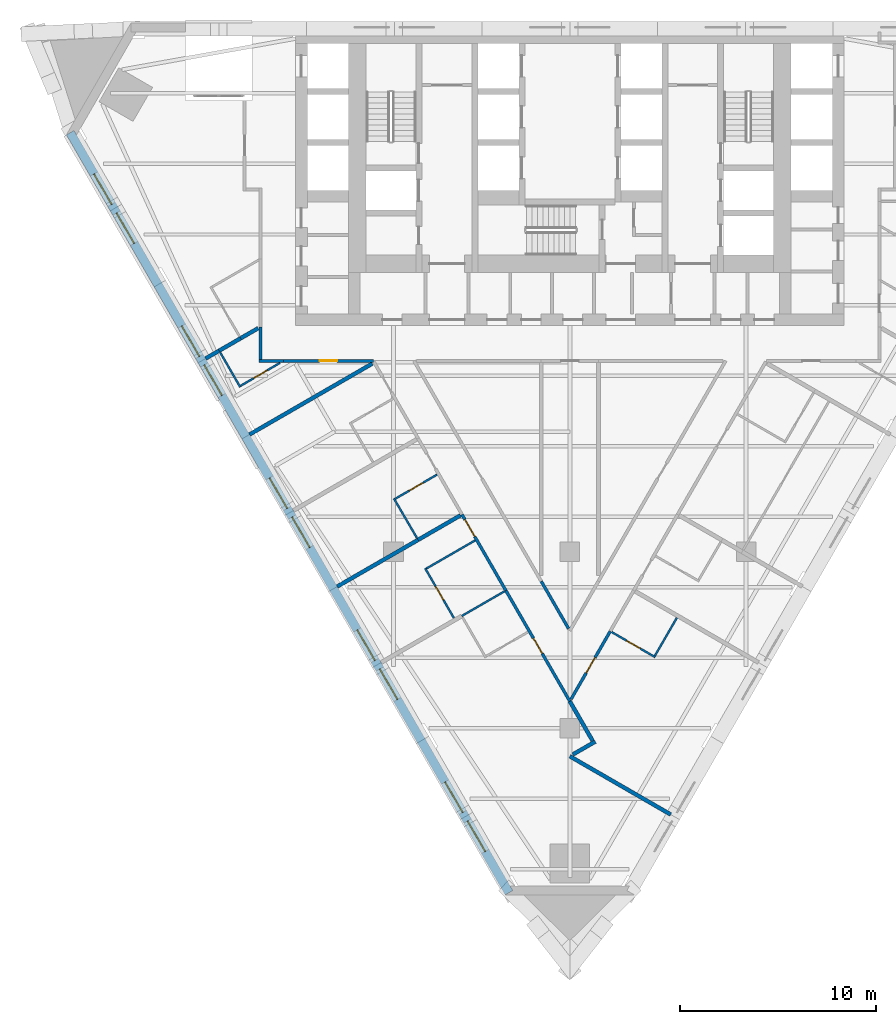
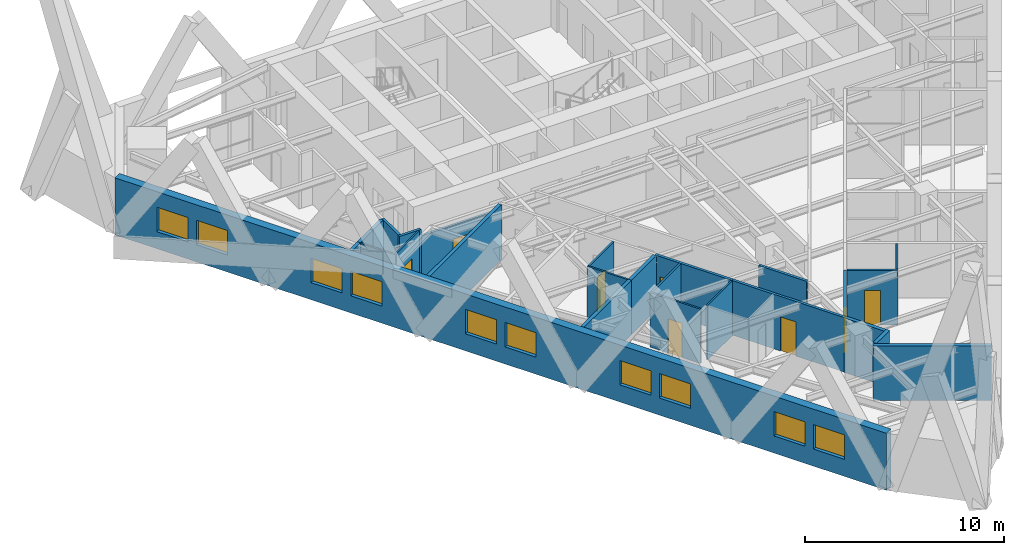
# One storey, part 4 of 11: 26 walls, 10 windows, 8 doors, 18 openings.
"""IFC4 building model written with IfcOpenShell, lengths in metres."""

from ifc_helpers import new_model, si_unit, direction, frame, frame_2d, origin, place, context, subcontext, project, spatial, polyline, rectangle, outline, extrude, material, layer, layer_set, type_object, element, fill, save


model = new_model("IFC4")

# Units and contexts
model_context = context("Model", 3, precision=1e-05, world=origin(), true_north=direction((0.0, 1.0)))
body_context = subcontext(model_context, "Body", "Model", "MODEL_VIEW")
ifc_project = project(units=[si_unit("LENGTHUNIT", "METRE"), si_unit("AREAUNIT", "SQUARE_METRE"), si_unit("VOLUMEUNIT", "CUBIC_METRE"), si_unit("PLANEANGLEUNIT", "RADIAN"), si_unit("MASSUNIT", "GRAM", prefix="KILO")], contexts=[model_context])

# Site, building, storey
site_placement = place(None, origin())
site = spatial("IfcSite", under=ifc_project, at=site_placement, CompositionType="ELEMENT")
building_placement = place(site_placement, origin())
building = spatial("IfcBuilding", under=site, at=building_placement, Name="Aloe Facet Convention Tower", CompositionType="ELEMENT")
storey_placement = place(building_placement, frame((0.0, 0.0, 49.0)))
storey = spatial("IfcBuildingStorey", under=building, at=storey_placement, Name="L10", CompositionType="ELEMENT", Elevation=49.0)

# Wall, openings, windows
ifc_material_1 = material(Name="Precast concrete C40/50", Category="concrete")
ifc_layer_1 = layer(ifc_material_1, 0.449951171875)
ifc_layer_set_1 = layer_set([ifc_layer_1], Name="EV-WALL-STONE")
wall_type_1 = type_object("IfcWallType", Name="EV-WALL-STONE", PredefinedType="SOLIDWALL", material=ifc_layer_set_1)
wall_1_placement = place(storey_placement, frame((54.494873046875, 129.396728515625, -0.14990234375), z_axis=(0.0, 0.0, 1.0), x_axis=(0.499999201451, -0.866025864826, 0.0)))
wall_1 = element("IfcWall", 1, at=wall_1_placement, inside=storey, type_object=wall_type_1, Name="EW-L10-W01", PredefinedType="SOLIDWALL", context=body_context, shape_type="SweptSolid", body=[
    extrude(outline(polyline([(44.800048828125, 0.0), (44.800048828125, 3.5), (0.0, 3.5), (0.0, 0.0), (44.800048828125, 0.0)])), frame((0.0, 0.22509765625, 0.0), z_axis=(0.0, -1.0, 0.0), x_axis=(1.0, 0.0, 0.0)), (0.0, 0.0, 1.0), 0.449951171875),
])
opening_1_placement = place(wall_1_placement, frame((2.429931640625, 0.0, 1.050048828125)))
opening_1 = element("IfcOpeningElement", 2, at=opening_1_placement, cuts=wall_1, Name="Opening W-L10-W01", PredefinedType="OPENING", context=body_context, shape_type="SweptSolid", body=[
    extrude(rectangle(XDim=1.800048828125, YDim=1.5, at=frame_2d((0.89990234375, 0.75))), frame((0.0, 0.23486328125, 0.0), z_axis=(0.0, -1.0, 0.0), x_axis=(1.0, 0.0, 0.0)), (0.0, 0.0, 1.0), 0.469970703125),
])
opening_2_placement = place(wall_1_placement, frame((4.72998046875, 0.0, 1.050048828125)))
opening_2 = element("IfcOpeningElement", 3, at=opening_2_placement, cuts=wall_1, Name="Opening W-L10-W02", PredefinedType="OPENING", context=body_context, shape_type="SweptSolid", body=[
    extrude(rectangle(XDim=1.800048828125, YDim=1.5, at=frame_2d((0.89990234375, 0.75))), frame((0.0, 0.23486328125, 0.0), z_axis=(0.0, -1.0, 0.0), x_axis=(1.0, 0.0, 0.0)), (0.0, 0.0, 1.0), 0.469970703125),
])
opening_3_placement = place(wall_1_placement, frame((11.389892578125, 0.0, 1.050048828125)))
opening_3 = element("IfcOpeningElement", 4, at=opening_3_placement, cuts=wall_1, Name="Opening W-L10-W03", PredefinedType="OPENING", context=body_context, shape_type="SweptSolid", body=[
    extrude(rectangle(XDim=1.800048828125, YDim=1.5, at=frame_2d((0.89990234375, 0.75))), frame((0.0, 0.23486328125, 0.0), z_axis=(0.0, -1.0, 0.0), x_axis=(1.0, 0.0, 0.0)), (0.0, 0.0, 1.0), 0.469970703125),
])
opening_4_placement = place(wall_1_placement, frame((13.68994140625, 0.0, 1.050048828125)))
opening_4 = element("IfcOpeningElement", 5, at=opening_4_placement, cuts=wall_1, Name="Opening W-L10-W04", PredefinedType="OPENING", context=body_context, shape_type="SweptSolid", body=[
    extrude(rectangle(XDim=1.800048828125, YDim=1.5, at=frame_2d((0.89990234375, 0.75))), frame((0.0, 0.23486328125, 0.0), z_axis=(0.0, -1.0, 0.0), x_axis=(1.0, 0.0, 0.0)), (0.0, 0.0, 1.0), 0.469970703125),
])
opening_5_placement = place(wall_1_placement, frame((20.35009765625, 0.0, 1.050048828125)))
opening_5 = element("IfcOpeningElement", 6, at=opening_5_placement, cuts=wall_1, Name="Opening W-L10-W05", PredefinedType="OPENING", context=body_context, shape_type="SweptSolid", body=[
    extrude(rectangle(XDim=1.800048828125, YDim=1.5, at=frame_2d((0.89990234375, 0.75))), frame((0.0, 0.23486328125, 0.0), z_axis=(0.0, -1.0, 0.0), x_axis=(1.0, 0.0, 0.0)), (0.0, 0.0, 1.0), 0.469970703125),
])
opening_6_placement = place(wall_1_placement, frame((22.64990234375, 0.0, 1.050048828125)))
opening_6 = element("IfcOpeningElement", 7, at=opening_6_placement, cuts=wall_1, Name="Opening W-L10-W06", PredefinedType="OPENING", context=body_context, shape_type="SweptSolid", body=[
    extrude(rectangle(XDim=1.800048828125, YDim=1.5, at=frame_2d((0.89990234375, 0.75))), frame((0.0, 0.23486328125, 0.0), z_axis=(0.0, -1.0, 0.0), x_axis=(1.0, 0.0, 0.0)), (0.0, 0.0, 1.0), 0.469970703125),
])
opening_7_placement = place(wall_1_placement, frame((29.31005859375, 0.0, 1.050048828125)))
opening_7 = element("IfcOpeningElement", 8, at=opening_7_placement, cuts=wall_1, Name="Opening W-L10-W07", PredefinedType="OPENING", context=body_context, shape_type="SweptSolid", body=[
    extrude(rectangle(XDim=1.800048828125, YDim=1.5, at=frame_2d((0.89990234375, 0.75))), frame((0.0, 0.23486328125, 0.0), z_axis=(0.0, -1.0, 0.0), x_axis=(1.0, 0.0, 0.0)), (0.0, 0.0, 1.0), 0.469970703125),
])
opening_8_placement = place(wall_1_placement, frame((31.610107421875, 0.0, 1.050048828125)))
opening_8 = element("IfcOpeningElement", 9, at=opening_8_placement, cuts=wall_1, Name="Opening W-L10-W08", PredefinedType="OPENING", context=body_context, shape_type="SweptSolid", body=[
    extrude(rectangle(XDim=1.800048828125, YDim=1.5, at=frame_2d((0.89990234375, 0.75))), frame((0.0, 0.23486328125, 0.0), z_axis=(0.0, -1.0, 0.0), x_axis=(1.0, 0.0, 0.0)), (0.0, 0.0, 1.0), 0.469970703125),
])
opening_9_placement = place(wall_1_placement, frame((38.27001953125, 0.0, 1.050048828125)))
opening_9 = element("IfcOpeningElement", 10, at=opening_9_placement, cuts=wall_1, Name="Opening W-L10-W09", PredefinedType="OPENING", context=body_context, shape_type="SweptSolid", body=[
    extrude(rectangle(XDim=1.800048828125, YDim=1.5, at=frame_2d((0.89990234375, 0.75))), frame((0.0, 0.23486328125, 0.0), z_axis=(0.0, -1.0, 0.0), x_axis=(1.0, 0.0, 0.0)), (0.0, 0.0, 1.0), 0.469970703125),
])
opening_10_placement = place(wall_1_placement, frame((40.570068359375, 0.0, 1.050048828125)))
opening_10 = element("IfcOpeningElement", 11, at=opening_10_placement, cuts=wall_1, Name="Opening W-L10-W10", PredefinedType="OPENING", context=body_context, shape_type="SweptSolid", body=[
    extrude(rectangle(XDim=1.800048828125, YDim=1.5, at=frame_2d((0.89990234375, 0.75))), frame((0.0, 0.23486328125, 0.0), z_axis=(0.0, -1.0, 0.0), x_axis=(1.0, 0.0, 0.0)), (0.0, 0.0, 1.0), 0.469970703125),
])
ifc_material_2 = material(Name="Aluminium frame, clear double glazing", Category="aluminium")
window_type = type_object("IfcWindowType", Name="EV-WIN-H18", PartitioningType="SINGLE_PANEL", PredefinedType="WINDOW", material=ifc_material_2)
window_1_placement = place(opening_1_placement, origin())
window_1 = element("IfcWindow", 12, at=window_1_placement, inside=storey, type_object=window_type, Name="W-L10-W01", OverallHeight=1.5, OverallWidth=1.800048828125, PartitioningType="SINGLE_PANEL", PredefinedType="WINDOW", context=body_context, shape_type="SweptSolid", body=[
    extrude(rectangle(XDim=1.800048828125, YDim=1.5, at=frame_2d((0.89990234375, 0.75))), frame((0.0, 0.030029296875, 0.0), z_axis=(0.0, -1.0, 0.0), x_axis=(1.0, 0.0, 0.0)), (0.0, 0.0, 1.0), 0.06005859375),
])
fill(opening_1, window_1)
window_2_placement = place(opening_2_placement, origin())
window_2 = element("IfcWindow", 13, at=window_2_placement, inside=storey, type_object=window_type, Name="W-L10-W02", OverallHeight=1.5, OverallWidth=1.800048828125, PartitioningType="SINGLE_PANEL", PredefinedType="WINDOW", context=body_context, shape_type="SweptSolid", body=[
    extrude(rectangle(XDim=1.800048828125, YDim=1.5, at=frame_2d((0.89990234375, 0.75))), frame((0.0, 0.030029296875, 0.0), z_axis=(0.0, -1.0, 0.0), x_axis=(1.0, 0.0, 0.0)), (0.0, 0.0, 1.0), 0.06005859375),
])
fill(opening_2, window_2)
window_3_placement = place(opening_3_placement, origin())
window_3 = element("IfcWindow", 14, at=window_3_placement, inside=storey, type_object=window_type, Name="W-L10-W03", OverallHeight=1.5, OverallWidth=1.800048828125, PartitioningType="SINGLE_PANEL", PredefinedType="WINDOW", context=body_context, shape_type="SweptSolid", body=[
    extrude(rectangle(XDim=1.800048828125, YDim=1.5, at=frame_2d((0.89990234375, 0.75))), frame((0.0, 0.030029296875, 0.0), z_axis=(0.0, -1.0, 0.0), x_axis=(1.0, 0.0, 0.0)), (0.0, 0.0, 1.0), 0.06005859375),
])
fill(opening_3, window_3)
window_4_placement = place(opening_4_placement, origin())
window_4 = element("IfcWindow", 15, at=window_4_placement, inside=storey, type_object=window_type, Name="W-L10-W04", OverallHeight=1.5, OverallWidth=1.800048828125, PartitioningType="SINGLE_PANEL", PredefinedType="WINDOW", context=body_context, shape_type="SweptSolid", body=[
    extrude(rectangle(XDim=1.800048828125, YDim=1.5, at=frame_2d((0.89990234375, 0.75))), frame((0.0, 0.030029296875, 0.0), z_axis=(0.0, -1.0, 0.0), x_axis=(1.0, 0.0, 0.0)), (0.0, 0.0, 1.0), 0.06005859375),
])
fill(opening_4, window_4)
window_5_placement = place(opening_5_placement, origin())
window_5 = element("IfcWindow", 16, at=window_5_placement, inside=storey, type_object=window_type, Name="W-L10-W05", OverallHeight=1.5, OverallWidth=1.800048828125, PartitioningType="SINGLE_PANEL", PredefinedType="WINDOW", context=body_context, shape_type="SweptSolid", body=[
    extrude(rectangle(XDim=1.800048828125, YDim=1.5, at=frame_2d((0.89990234375, 0.75))), frame((0.0, 0.030029296875, 0.0), z_axis=(0.0, -1.0, 0.0), x_axis=(1.0, 0.0, 0.0)), (0.0, 0.0, 1.0), 0.06005859375),
])
fill(opening_5, window_5)
window_6_placement = place(opening_6_placement, origin())
window_6 = element("IfcWindow", 17, at=window_6_placement, inside=storey, type_object=window_type, Name="W-L10-W06", OverallHeight=1.5, OverallWidth=1.800048828125, PartitioningType="SINGLE_PANEL", PredefinedType="WINDOW", context=body_context, shape_type="SweptSolid", body=[
    extrude(rectangle(XDim=1.800048828125, YDim=1.5, at=frame_2d((0.89990234375, 0.75))), frame((0.0, 0.030029296875, 0.0), z_axis=(0.0, -1.0, 0.0), x_axis=(1.0, 0.0, 0.0)), (0.0, 0.0, 1.0), 0.06005859375),
])
fill(opening_6, window_6)
window_7_placement = place(opening_7_placement, origin())
window_7 = element("IfcWindow", 18, at=window_7_placement, inside=storey, type_object=window_type, Name="W-L10-W07", OverallHeight=1.5, OverallWidth=1.800048828125, PartitioningType="SINGLE_PANEL", PredefinedType="WINDOW", context=body_context, shape_type="SweptSolid", body=[
    extrude(rectangle(XDim=1.800048828125, YDim=1.5, at=frame_2d((0.89990234375, 0.75))), frame((0.0, 0.030029296875, 0.0), z_axis=(0.0, -1.0, 0.0), x_axis=(1.0, 0.0, 0.0)), (0.0, 0.0, 1.0), 0.06005859375),
])
fill(opening_7, window_7)
window_8_placement = place(opening_8_placement, origin())
window_8 = element("IfcWindow", 19, at=window_8_placement, inside=storey, type_object=window_type, Name="W-L10-W08", OverallHeight=1.5, OverallWidth=1.800048828125, PartitioningType="SINGLE_PANEL", PredefinedType="WINDOW", context=body_context, shape_type="SweptSolid", body=[
    extrude(rectangle(XDim=1.800048828125, YDim=1.5, at=frame_2d((0.89990234375, 0.75))), frame((0.0, 0.030029296875, 0.0), z_axis=(0.0, -1.0, 0.0), x_axis=(1.0, 0.0, 0.0)), (0.0, 0.0, 1.0), 0.06005859375),
])
fill(opening_8, window_8)
window_9_placement = place(opening_9_placement, origin())
window_9 = element("IfcWindow", 20, at=window_9_placement, inside=storey, type_object=window_type, Name="W-L10-W09", OverallHeight=1.5, OverallWidth=1.800048828125, PartitioningType="SINGLE_PANEL", PredefinedType="WINDOW", context=body_context, shape_type="SweptSolid", body=[
    extrude(rectangle(XDim=1.800048828125, YDim=1.5, at=frame_2d((0.89990234375, 0.75))), frame((0.0, 0.030029296875, 0.0), z_axis=(0.0, -1.0, 0.0), x_axis=(1.0, 0.0, 0.0)), (0.0, 0.0, 1.0), 0.06005859375),
])
fill(opening_9, window_9)
window_10_placement = place(opening_10_placement, origin())
window_10 = element("IfcWindow", 21, at=window_10_placement, inside=storey, type_object=window_type, Name="W-L10-W10", OverallHeight=1.5, OverallWidth=1.800048828125, PartitioningType="SINGLE_PANEL", PredefinedType="WINDOW", context=body_context, shape_type="SweptSolid", body=[
    extrude(rectangle(XDim=1.800048828125, YDim=1.5, at=frame_2d((0.89990234375, 0.75))), frame((0.0, 0.030029296875, 0.0), z_axis=(0.0, -1.0, 0.0), x_axis=(1.0, 0.0, 0.0)), (0.0, 0.0, 1.0), 0.06005859375),
])
fill(opening_10, window_10)

# Wall, opening, door
ifc_material_3 = material(Name="Gypsum board partition on steel studs", Category="steel")
ifc_layer_2 = layer(ifc_material_3, 0.14990234375)
ifc_layer_set_2 = layer_set([ifc_layer_2], Name="IN-W-CORR")
wall_type_2 = type_object("IfcWallType", Name="IN-W-CORR", PredefinedType="PARTITIONING", material=ifc_layer_set_2)
wall_2_placement = place(storey_placement, frame((76.735107421875, 106.025634765625, 0.0), z_axis=(0.0, 0.0, 1.0), x_axis=(0.499995393218, -0.866028063495, 0.0)))
wall_2 = element("IfcWall", 22, at=wall_2_placement, inside=storey, type_object=wall_type_2, Name="Partition L10-W004", PredefinedType="PARTITIONING", context=body_context, shape_type="SweptSolid", body=[
    extrude(rectangle(XDim=6.52978515625, YDim=0.14990234375, at=frame_2d((3.264892578125, 0.0))), origin(), (0.0, 0.0, 1.0), 3.35009765625),
])
opening_11_placement = place(wall_2_placement, frame((2.81494140625, 0.0, 0.0)))
opening_11 = element("IfcOpeningElement", 23, at=opening_11_placement, cuts=wall_2, Name="Opening L10-007", PredefinedType="OPENING", context=body_context, shape_type="SweptSolid", body=[
    extrude(rectangle(XDim=0.89990234375, YDim=2.10009765625, at=frame_2d((0.449951171875, 1.050048828125))), frame((0.0, 0.0849609375, 0.0), z_axis=(0.0, -1.0, 0.0), x_axis=(1.0, 0.0, 0.0)), (0.0, 0.0, 1.0), 0.169921875),
])
ifc_material_4 = material(Name="Hardwood flush door FD30S", Category="wood")
door_type_1 = type_object("IfcDoorType", Name="IN-D-GUEST", OperationType="SINGLE_SWING_LEFT", PredefinedType="DOOR", material=ifc_material_4)
door_1_placement = place(opening_11_placement, origin())
door_1 = element("IfcDoor", 24, at=door_1_placement, inside=storey, type_object=door_type_1, Name="Door L10-007", OperationType="SINGLE_SWING_LEFT", OverallHeight=2.10009765625, OverallWidth=0.89990234375, PredefinedType="DOOR", context=body_context, shape_type="SweptSolid", body=[
    extrude(rectangle(XDim=0.89990234375, YDim=2.10009765625, at=frame_2d((0.449951171875, 1.050048828125))), frame((0.0, 0.02490234375, 0.0), z_axis=(0.0, -1.0, 0.0), x_axis=(1.0, 0.0, 0.0)), (0.0, 0.0, 1.0), 0.050048828125),
])
fill(opening_11, door_1)

wall_3_placement = place(storey_placement, frame((80.06005859375, 100.474365234375, 0.0), z_axis=(0.0, 0.0, 1.0), x_axis=(0.499963124258, 0.866046692957, 0.0)))
wall_3 = element("IfcWall", 25, at=wall_3_placement, inside=storey, type_object=wall_type_2, Name="Partition L10-W011", PredefinedType="PARTITIONING", context=body_context, shape_type="SweptSolid", body=[
    extrude(rectangle(XDim=4.010009765625, YDim=0.14990234375, at=frame_2d((2.0048828125, 0.0))), origin(), (0.0, 0.0, 1.0), 3.35009765625),
])
opening_12_placement = place(wall_3_placement, frame((1.554931640625, 0.0, 0.0)))
opening_12 = element("IfcOpeningElement", 26, at=opening_12_placement, cuts=wall_3, Name="Opening L10-008", PredefinedType="OPENING", context=body_context, shape_type="SweptSolid", body=[
    extrude(rectangle(XDim=0.89990234375, YDim=2.10009765625, at=frame_2d((0.449951171875, 1.050048828125))), frame((0.0, 0.0849609375, 0.0), z_axis=(0.0, -1.0, 0.0), x_axis=(1.0, 0.0, 0.0)), (0.0, 0.0, 1.0), 0.169921875),
])
door_2_placement = place(opening_12_placement, origin())
door_2 = element("IfcDoor", 27, at=door_2_placement, inside=storey, type_object=door_type_1, Name="Door L10-008", OperationType="SINGLE_SWING_LEFT", OverallHeight=2.10009765625, OverallWidth=0.89990234375, PredefinedType="DOOR", context=body_context, shape_type="SweptSolid", body=[
    extrude(rectangle(XDim=0.89990234375, YDim=2.10009765625, at=frame_2d((0.449951171875, 1.050048828125))), frame((0.0, 0.02490234375, 0.0), z_axis=(0.0, -1.0, 0.0), x_axis=(1.0, 0.0, 0.0)), (0.0, 0.0, 1.0), 0.050048828125),
])
fill(opening_12, door_2)

wall_4_placement = place(storey_placement, frame((74.4951171875, 109.905517578125, 0.0), z_axis=(0.0, 0.0, 1.0), x_axis=(0.499989762656, -0.866031314237, 0.0)))
wall_4 = element("IfcWall", 28, at=wall_4_placement, inside=storey, type_object=wall_type_2, Name="Partition L10-W021", PredefinedType="PARTITIONING", context=body_context, shape_type="SweptSolid", body=[
    extrude(rectangle(XDim=4.47998046875, YDim=0.14990234375, at=frame_2d((2.239990234375, 0.0))), origin(), (0.0, 0.0, 1.0), 3.35009765625),
])
opening_13_placement = place(wall_4_placement, frame((0.300048828125, 0.0, 0.0)))
opening_13 = element("IfcOpeningElement", 29, at=opening_13_placement, cuts=wall_4, Name="Opening L10-006", PredefinedType="OPENING", context=body_context, shape_type="SweptSolid", body=[
    extrude(rectangle(XDim=1.0, YDim=2.10009765625, at=frame_2d((0.5, 1.050048828125))), frame((0.0, 0.0849609375, 0.0), z_axis=(0.0, -1.0, 0.0), x_axis=(1.0, 0.0, 0.0)), (0.0, 0.0, 1.0), 0.169921875),
])
ifc_material_5 = material(Name="Hardwood flush door FD30S", Category="wood")
door_type_2 = type_object("IfcDoorType", Name="IN-D-WIDE", OperationType="SINGLE_SWING_LEFT", PredefinedType="DOOR", material=ifc_material_5)
door_3_placement = place(opening_13_placement, origin())
door_3 = element("IfcDoor", 30, at=door_3_placement, inside=storey, type_object=door_type_2, Name="Door L10-006", OperationType="SINGLE_SWING_LEFT", OverallHeight=2.10009765625, OverallWidth=1.0, PredefinedType="DOOR", context=body_context, shape_type="SweptSolid", body=[
    extrude(rectangle(XDim=1.0, YDim=2.10009765625, at=frame_2d((0.5, 1.050048828125))), frame((0.0, 0.02490234375, 0.0), z_axis=(0.0, -1.0, 0.0), x_axis=(1.0, 0.0, 0.0)), (0.0, 0.0, 1.0), 0.050048828125),
])
fill(opening_13, door_3)

# Walls
wall_5_placement = place(storey_placement, frame((78.5400390625, 106.499267578125, 0.0), z_axis=(0.0, 0.0, 1.0), x_axis=(0.499997662712, -0.866026753214, 0.0)))
element("IfcWall", 31, at=wall_5_placement, inside=storey, type_object=wall_type_2, Name="Partition L10-W026", PredefinedType="PARTITIONING", context=body_context, shape_type="SweptSolid", body=[
    extrude(rectangle(XDim=2.7900390625, YDim=0.14990234375, at=frame_2d((1.39501953125, 0.0))), origin(), (0.0, 0.0, 1.0), 3.35009765625),
])
wall_6_placement = place(storey_placement, frame((64.125, 117.75, 0.0), z_axis=(0.0, 0.0, 1.0), x_axis=(1.0, 0.0, 0.0)))
element("IfcWall", 32, at=wall_6_placement, inside=storey, type_object=wall_type_2, Name="Partition L10-W069", PredefinedType="PARTITIONING", context=body_context, shape_type="SweptSolid", body=[
    extrude(rectangle(XDim=1.257080078125, YDim=0.14990234375, at=frame_2d((0.62841796875, 0.0))), origin(), (0.0, 0.0, 1.0), 3.35009765625),
])

# Wall, opening, door
wall_7_placement = place(storey_placement, frame((65.382080078125, 117.75, 0.0), z_axis=(0.0, 0.0, 1.0), x_axis=(1.0, 0.0, 0.0)))
wall_7 = element("IfcWall", 33, at=wall_7_placement, inside=storey, type_object=wall_type_2, Name="Partition L10-W071", PredefinedType="PARTITIONING", context=body_context, shape_type="SweptSolid", body=[
    extrude(rectangle(XDim=4.583984375, YDim=0.14990234375, at=frame_2d((2.2919921875, 0.0))), origin(), (0.0, 0.0, 1.0), 2.9375),
])
opening_14_placement = place(wall_7_placement, frame((1.841796875, 0.0, 0.0)))
opening_14 = element("IfcOpeningElement", 34, at=opening_14_placement, cuts=wall_7, Name="Opening L10-003", PredefinedType="OPENING", context=body_context, shape_type="SweptSolid", body=[
    extrude(rectangle(XDim=0.89990234375, YDim=2.10009765625, at=frame_2d((0.449951171875, 1.050048828125))), frame((0.0, 0.0849609375, 0.0), z_axis=(0.0, -1.0, 0.0), x_axis=(1.0, 0.0, 0.0)), (0.0, 0.0, 1.0), 0.169921875),
])
door_4_placement = place(opening_14_placement, origin())
door_4 = element("IfcDoor", 35, at=door_4_placement, inside=storey, type_object=door_type_1, Name="Door L10-003", OperationType="SINGLE_SWING_LEFT", OverallHeight=2.10009765625, OverallWidth=0.89990234375, PredefinedType="DOOR", context=body_context, shape_type="SweptSolid", body=[
    extrude(rectangle(XDim=0.89990234375, YDim=2.10009765625, at=frame_2d((0.449951171875, 1.050048828125))), frame((0.0, 0.02490234375, 0.0), z_axis=(0.0, -1.0, 0.0), x_axis=(1.0, 0.0, 0.0)), (0.0, 0.0, 1.0), 0.050048828125),
])
fill(opening_14, door_4)

# Wall
wall_8_placement = place(storey_placement, frame((64.199951171875, 117.824951171875, 0.0), z_axis=(0.0, 0.0, 1.0), x_axis=(0.0, 1.0, 0.0)))
element("IfcWall", 36, at=wall_8_placement, inside=storey, type_object=wall_type_2, Name="Partition L10-W087", PredefinedType="PARTITIONING", context=body_context, shape_type="SweptSolid", body=[
    extrude(rectangle(XDim=1.65576171875, YDim=0.14990234375, at=frame_2d((0.827880859375, 0.0))), origin(), (0.0, 0.0, 1.0), 3.35009765625),
])

# Wall, opening, door
ifc_material_6 = material(Name="Gypsum board partition on steel studs", Category="steel")
ifc_layer_3 = layer(ifc_material_6, 0.10009765625)
ifc_layer_set_3 = layer_set([ifc_layer_3], Name="IN-W-PART")
wall_type_3 = type_object("IfcWallType", Name="IN-W-PART", PredefinedType="PARTITIONING", material=ifc_layer_set_3)
wall_9_placement = place(storey_placement, frame((82.138671875, 103.90478515625, 0.0), z_axis=(0.0, 0.0, 1.0), x_axis=(0.866014388206, -0.500019079056, 0.0)))
wall_9 = element("IfcWall", 37, at=wall_9_placement, inside=storey, type_object=wall_type_3, Name="Partition L10-W008", PredefinedType="PARTITIONING", context=body_context, shape_type="SweptSolid", body=[
    extrude(rectangle(XDim=2.56494140625, YDim=0.10009765625, at=frame_2d((1.282470703125, 0.0))), origin(), (0.0, 0.0, 1.0), 3.35009765625),
])
opening_15_placement = place(wall_9_placement, frame((0.882568359375, 0.0, 0.0)))
opening_15 = element("IfcOpeningElement", 38, at=opening_15_placement, cuts=wall_9, Name="Opening L10-023", PredefinedType="OPENING", context=body_context, shape_type="SweptSolid", body=[
    extrude(rectangle(XDim=0.800048828125, YDim=2.10009765625, at=frame_2d((0.39990234375, 1.050048828125))), frame((0.0, 0.06005859375, 0.0), z_axis=(0.0, -1.0, 0.0), x_axis=(1.0, 0.0, 0.0)), (0.0, 0.0, 1.0), 0.1201171875),
])
ifc_material_7 = material(Name="Timber flush door", Category="wood")
door_type_3 = type_object("IfcDoorType", Name="IN-D-BATH", OperationType="SINGLE_SWING_LEFT", PredefinedType="DOOR", material=ifc_material_7)
door_5_placement = place(opening_15_placement, origin())
door_5 = element("IfcDoor", 39, at=door_5_placement, inside=storey, type_object=door_type_3, Name="Door L10-023", OperationType="SINGLE_SWING_LEFT", OverallHeight=2.10009765625, OverallWidth=0.800048828125, PredefinedType="DOOR", context=body_context, shape_type="SweptSolid", body=[
    extrude(rectangle(XDim=0.800048828125, YDim=2.10009765625, at=frame_2d((0.39990234375, 1.050048828125))), frame((0.0, 0.02490234375, 0.0), z_axis=(0.0, -1.0, 0.0), x_axis=(1.0, 0.0, 0.0)), (0.0, 0.0, 1.0), 0.050048828125),
])
fill(opening_15, door_5)

wall_10_placement = place(storey_placement, frame((72.61181640625, 107.1669921875, 0.0), z_axis=(0.0, 0.0, 1.0), x_axis=(0.500050696077, -0.865996132412, 0.0)))
wall_10 = element("IfcWall", 40, at=wall_10_placement, inside=storey, type_object=wall_type_3, Name="Partition L10-W013", PredefinedType="PARTITIONING", context=body_context, shape_type="SweptSolid", body=[
    extrude(rectangle(XDim=2.940185546875, YDim=0.10009765625, at=frame_2d((1.47021484375, 0.0))), origin(), (0.0, 0.0, 1.0), 3.35009765625),
])
opening_16_placement = place(wall_10_placement, frame((1.070068359375, 0.0, 0.0)))
opening_16 = element("IfcOpeningElement", 41, at=opening_16_placement, cuts=wall_10, Name="Opening L10-021", PredefinedType="OPENING", context=body_context, shape_type="SweptSolid", body=[
    extrude(rectangle(XDim=0.800048828125, YDim=2.10009765625, at=frame_2d((0.39990234375, 1.050048828125))), frame((0.0, 0.06005859375, 0.0), z_axis=(0.0, -1.0, 0.0), x_axis=(1.0, 0.0, 0.0)), (0.0, 0.0, 1.0), 0.1201171875),
])
door_6_placement = place(opening_16_placement, origin())
door_6 = element("IfcDoor", 42, at=door_6_placement, inside=storey, type_object=door_type_3, Name="Door L10-021", OperationType="SINGLE_SWING_LEFT", OverallHeight=2.10009765625, OverallWidth=0.800048828125, PredefinedType="DOOR", context=body_context, shape_type="SweptSolid", body=[
    extrude(rectangle(XDim=0.800048828125, YDim=2.10009765625, at=frame_2d((0.39990234375, 1.050048828125))), frame((0.0, 0.02490234375, 0.0), z_axis=(0.0, -1.0, 0.0), x_axis=(1.0, 0.0, 0.0)), (0.0, 0.0, 1.0), 0.050048828125),
])
fill(opening_16, door_6)

# Walls
wall_11_placement = place(storey_placement, frame((84.341552734375, 102.6904296875, 0.0), z_axis=(0.0, 0.0, 1.0), x_axis=(0.499966648284, 0.866044658551, 0.0)))
element("IfcWall", 43, at=wall_11_placement, inside=storey, type_object=wall_type_3, Name="Partition L10-W014", PredefinedType="PARTITIONING", context=body_context, shape_type="SweptSolid", body=[
    extrude(rectangle(XDim=2.250244140625, YDim=0.10009765625, at=frame_2d((1.125, 0.0))), origin(), (0.0, 0.0, 1.0), 3.35009765625),
])
wall_12_placement = place(storey_placement, frame((74.4833984375, 104.7255859375, 0.0), z_axis=(0.0, 0.0, 1.0), x_axis=(0.866006140796, 0.500033362991, 0.0)))
element("IfcWall", 44, at=wall_12_placement, inside=storey, type_object=wall_type_3, Name="Partition L10-W018", PredefinedType="PARTITIONING", context=body_context, shape_type="SweptSolid", body=[
    extrude(rectangle(XDim=2.514892578125, YDim=0.10009765625, at=frame_2d((1.25732421875, 0.0))), origin(), (0.0, 0.0, 1.0), 3.35009765625),
])
wall_13_placement = place(storey_placement, frame((72.68017578125, 107.148681640625, 0.0), z_axis=(0.0, 0.0, 1.0), x_axis=(0.866039941686, 0.499974818771, 0.0)))
element("IfcWall", 45, at=wall_13_placement, inside=storey, type_object=wall_type_3, Name="Partition L10-W030", PredefinedType="PARTITIONING", context=body_context, shape_type="SweptSolid", body=[
    extrude(rectangle(XDim=2.875244140625, YDim=0.10009765625, at=frame_2d((1.4375, 0.0))), origin(), (0.0, 0.0, 1.0), 3.35009765625),
])
wall_14_placement = place(storey_placement, frame((71.01806640625, 110.72705078125, 0.0), z_axis=(0.0, 0.0, 1.0), x_axis=(0.503637463939, -0.863915102841, 0.0)))
element("IfcWall", 46, at=wall_14_placement, inside=storey, type_object=wall_type_3, Name="Partition L10-W035", PredefinedType="PARTITIONING", context=body_context, shape_type="SweptSolid", body=[
    extrude(rectangle(XDim=2.33984375, YDim=0.10009765625, at=frame_2d((1.169921875, 0.0))), origin(), (0.0, 0.0, 1.0), 3.35009765625),
])

# Wall, opening, door
wall_15_placement = place(storey_placement, frame((71.09521484375, 110.7138671875, 0.0), z_axis=(0.0, 0.0, 1.0), x_axis=(0.866031582473, 0.499989298045, 0.0)))
wall_15 = element("IfcWall", 47, at=wall_15_placement, inside=storey, type_object=wall_type_3, Name="Partition L10-W044", PredefinedType="PARTITIONING", context=body_context, shape_type="SweptSolid", body=[
    extrude(rectangle(XDim=2.455078125, YDim=0.10009765625, at=frame_2d((1.2275390625, 0.0))), origin(), (0.0, 0.0, 1.0), 3.35009765625),
])
opening_17_placement = place(wall_15_placement, frame((0.827392578125, 0.0, 0.0)))
opening_17 = element("IfcOpeningElement", 48, at=opening_17_placement, cuts=wall_15, Name="Opening L10-020", PredefinedType="OPENING", context=body_context, shape_type="SweptSolid", body=[
    extrude(rectangle(XDim=0.800048828125, YDim=2.10009765625, at=frame_2d((0.39990234375, 1.050048828125))), frame((0.0, 0.06005859375, 0.0), z_axis=(0.0, -1.0, 0.0), x_axis=(1.0, 0.0, 0.0)), (0.0, 0.0, 1.0), 0.1201171875),
])
door_7_placement = place(opening_17_placement, origin())
door_7 = element("IfcDoor", 49, at=door_7_placement, inside=storey, type_object=door_type_3, Name="Door L10-020", OperationType="SINGLE_SWING_LEFT", OverallHeight=2.10009765625, OverallWidth=0.800048828125, PredefinedType="DOOR", context=body_context, shape_type="SweptSolid", body=[
    extrude(rectangle(XDim=0.800048828125, YDim=2.10009765625, at=frame_2d((0.39990234375, 1.050048828125))), frame((0.0, 0.02490234375, 0.0), z_axis=(0.0, -1.0, 0.0), x_axis=(1.0, 0.0, 0.0)), (0.0, 0.0, 1.0), 0.050048828125),
])
fill(opening_17, door_7)

# Wall
wall_16_placement = place(storey_placement, frame((62.155517578125, 118.17333984375, 0.0), z_axis=(0.0, 0.0, 1.0), x_axis=(0.500026340207, -0.866010195725, 0.0)))
element("IfcWall", 50, at=wall_16_placement, inside=storey, type_object=wall_type_3, Name="Partition L10-W063", PredefinedType="PARTITIONING", context=body_context, shape_type="SweptSolid", body=[
    extrude(rectangle(XDim=2.0400390625, YDim=0.10009765625, at=frame_2d((1.02001953125, 0.0))), origin(), (0.0, 0.0, 1.0), 3.35009765625),
])

# Wall, opening, door
wall_17_placement = place(storey_placement, frame((63.202392578125, 116.480224609375, 0.0), z_axis=(0.0, 0.0, 1.0), x_axis=(0.864103474136, 0.503314202051, 0.0)))
wall_17 = element("IfcWall", 51, at=wall_17_placement, inside=storey, type_object=wall_type_3, Name="Partition L10-W070", PredefinedType="PARTITIONING", context=body_context, shape_type="SweptSolid", body=[
    extrude(rectangle(XDim=2.317626953125, YDim=0.10009765625, at=frame_2d((1.15869140625, 0.0))), origin(), (0.0, 0.0, 1.0), 3.35009765625),
])
opening_18_placement = place(wall_17_placement, frame((0.7587890625, 0.0, 0.0)))
opening_18 = element("IfcOpeningElement", 52, at=opening_18_placement, cuts=wall_17, Name="Opening L10-018", PredefinedType="OPENING", context=body_context, shape_type="SweptSolid", body=[
    extrude(rectangle(XDim=0.800048828125, YDim=2.10009765625, at=frame_2d((0.39990234375, 1.050048828125))), frame((0.0, 0.06005859375, 0.0), z_axis=(0.0, -1.0, 0.0), x_axis=(1.0, 0.0, 0.0)), (0.0, 0.0, 1.0), 0.1201171875),
])
door_8_placement = place(opening_18_placement, origin())
door_8 = element("IfcDoor", 53, at=door_8_placement, inside=storey, type_object=door_type_3, Name="Door L10-018", OperationType="SINGLE_SWING_LEFT", OverallHeight=2.10009765625, OverallWidth=0.800048828125, PredefinedType="DOOR", context=body_context, shape_type="SweptSolid", body=[
    extrude(rectangle(XDim=0.800048828125, YDim=2.10009765625, at=frame_2d((0.39990234375, 1.050048828125))), frame((0.0, 0.02490234375, 0.0), z_axis=(0.0, -1.0, 0.0), x_axis=(1.0, 0.0, 0.0)), (0.0, 0.0, 1.0), 0.050048828125),
])
fill(opening_18, door_8)

# Walls
ifc_material_8 = material(Name="Gypsum board partition on steel studs", Category="steel")
ifc_layer_4 = layer(ifc_material_8, 0.199951171875)
ifc_layer_set_4 = layer_set([ifc_layer_4], Name="IN-W-PARTY")
wall_type_4 = type_object("IfcWallType", Name="IN-W-PARTY", PredefinedType="PARTITIONING", material=ifc_layer_set_4)
wall_18_placement = place(storey_placement, frame((80.0, 97.564697265625, 0.0), z_axis=(0.0, 0.0, 1.0), x_axis=(0.866021515814, -0.500006734102, 0.0)))
element("IfcWall", 54, at=wall_18_placement, inside=storey, type_object=wall_type_4, Name="Partition L10-W001", PredefinedType="PARTITIONING", context=body_context, shape_type="SweptSolid", body=[
    extrude(rectangle(XDim=5.947265625, YDim=0.199951171875, at=frame_2d((2.9736328125, 0.0))), origin(), (0.0, 0.0, 1.0), 3.35009765625),
])
wall_19_placement = place(storey_placement, frame((80.14990234375, 97.651123046875, 0.0), z_axis=(0.0, 0.0, 1.0), x_axis=(0.866008217664, 0.500029766052, 0.0)))
element("IfcWall", 55, at=wall_19_placement, inside=storey, type_object=wall_type_4, Name="Partition L10-W002", PredefinedType="PARTITIONING", context=body_context, shape_type="SweptSolid", body=[
    extrude(rectangle(XDim=1.32958984375, YDim=0.199951171875, at=frame_2d((0.664794921875, 0.0))), origin(), (0.0, 0.0, 1.0), 3.35009765625),
])
wall_20_placement = place(storey_placement, frame((80.0, 100.37060546875, 0.0), z_axis=(0.0, 0.0, 1.0), x_axis=(0.499828727932, -0.86612426518, 0.0)))
element("IfcWall", 56, at=wall_20_placement, inside=storey, type_object=wall_type_4, Name="Partition L10-W003", PredefinedType="PARTITIONING", context=body_context, shape_type="SweptSolid", body=[
    extrude(rectangle(XDim=2.320068359375, YDim=0.199951171875, at=frame_2d((1.16015625, 0.0))), origin(), (0.0, 0.0, 1.0), 3.35009765625),
])
wall_21_placement = place(storey_placement, frame((68.129638671875, 106.23046875, 0.0), z_axis=(0.0, 0.0, 1.0), x_axis=(0.866037825118, 0.499978485002, 0.0)))
element("IfcWall", 57, at=wall_21_placement, inside=storey, type_object=wall_type_4, Name="Partition L10-W024", PredefinedType="PARTITIONING", context=body_context, shape_type="SweptSolid", body=[
    extrude(rectangle(XDim=4.760009765625, YDim=0.199951171875, at=frame_2d((2.3798828125, 0.0))), origin(), (0.0, 0.0, 1.0), 3.35009765625),
])
wall_22_placement = place(storey_placement, frame((72.251953125, 108.6103515625, 0.0), z_axis=(0.0, 0.0, 1.0), x_axis=(0.865997318083, 0.500048642706, 0.0)))
element("IfcWall", 58, at=wall_22_placement, inside=storey, type_object=wall_type_4, Name="Partition L10-W039", PredefinedType="PARTITIONING", context=body_context, shape_type="SweptSolid", body=[
    extrude(rectangle(XDim=2.505126953125, YDim=0.199951171875, at=frame_2d((1.25244140625, 0.0))), origin(), (0.0, 0.0, 1.0), 3.35009765625),
])
wall_23_placement = place(storey_placement, frame((63.649658203125, 113.989990234375, 0.0), z_axis=(0.0, 0.0, 1.0), x_axis=(0.866012505881, 0.500022339158, 0.0)))
element("IfcWall", 59, at=wall_23_placement, inside=storey, type_object=wall_type_4, Name="Partition L10-W052", PredefinedType="PARTITIONING", context=body_context, shape_type="SweptSolid", body=[
    extrude(rectangle(XDim=7.235107421875, YDim=0.199951171875, at=frame_2d((3.61767578125, 0.0))), origin(), (0.0, 0.0, 1.0), 3.35009765625),
])
wall_24_placement = place(storey_placement, frame((61.40966796875, 117.869873046875, 0.0), z_axis=(0.0, 0.0, 1.0), x_axis=(0.866068339032, 0.499925626596, 0.0)))
element("IfcWall", 60, at=wall_24_placement, inside=storey, type_object=wall_type_4, Name="Partition L10-W081", PredefinedType="PARTITIONING", context=body_context, shape_type="SweptSolid", body=[
    extrude(rectangle(XDim=0.79736328125, YDim=0.199951171875, at=frame_2d((0.398681640625, 0.0))), origin(), (0.0, 0.0, 1.0), 3.35009765625),
])
wall_25_placement = place(storey_placement, frame((62.100341796875, 118.2685546875, 0.0), z_axis=(0.0, 0.0, 1.0), x_axis=(0.866028304915, 0.499994975061, 0.0)))
element("IfcWall", 61, at=wall_25_placement, inside=storey, type_object=wall_type_4, Name="Partition L10-W083", PredefinedType="PARTITIONING", context=body_context, shape_type="SweptSolid", body=[
    extrude(rectangle(XDim=1.2666015625, YDim=0.199951171875, at=frame_2d((0.63330078125, 0.0))), origin(), (0.0, 0.0, 1.0), 3.35009765625),
])
wall_26_placement = place(storey_placement, frame((63.197265625, 118.90185546875, 0.0), z_axis=(0.0, 0.0, 1.0), x_axis=(0.866067506982, 0.499927068031, 0.0)))
element("IfcWall", 62, at=wall_26_placement, inside=storey, type_object=wall_type_4, Name="Partition L10-W085", PredefinedType="PARTITIONING", context=body_context, shape_type="SweptSolid", body=[
    extrude(rectangle(XDim=1.032958984375, YDim=0.199951171875, at=frame_2d((0.5166015625, 0.0))), origin(), (0.0, 0.0, 1.0), 3.35009765625),
])

save(model, "model.ifc")
